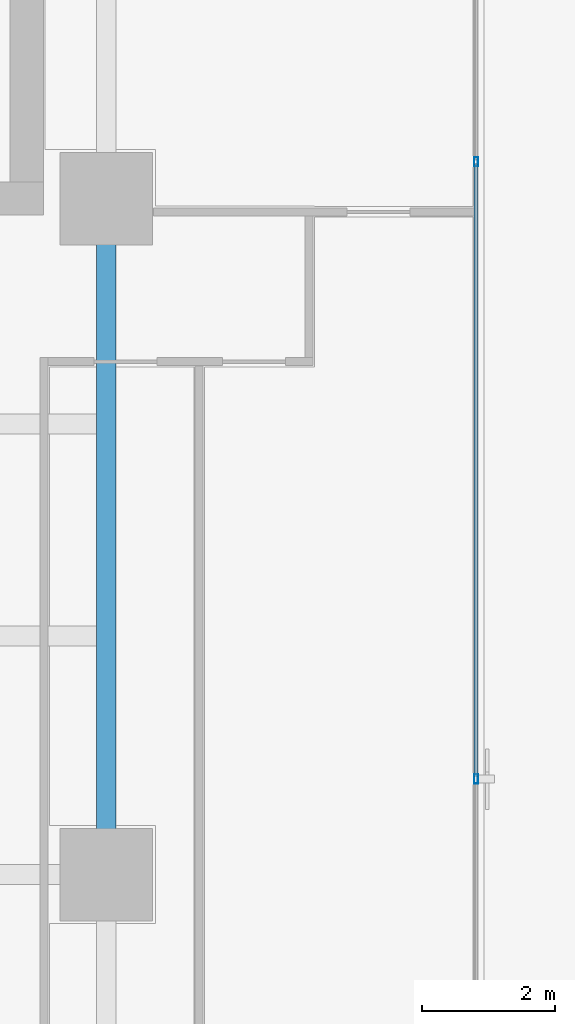
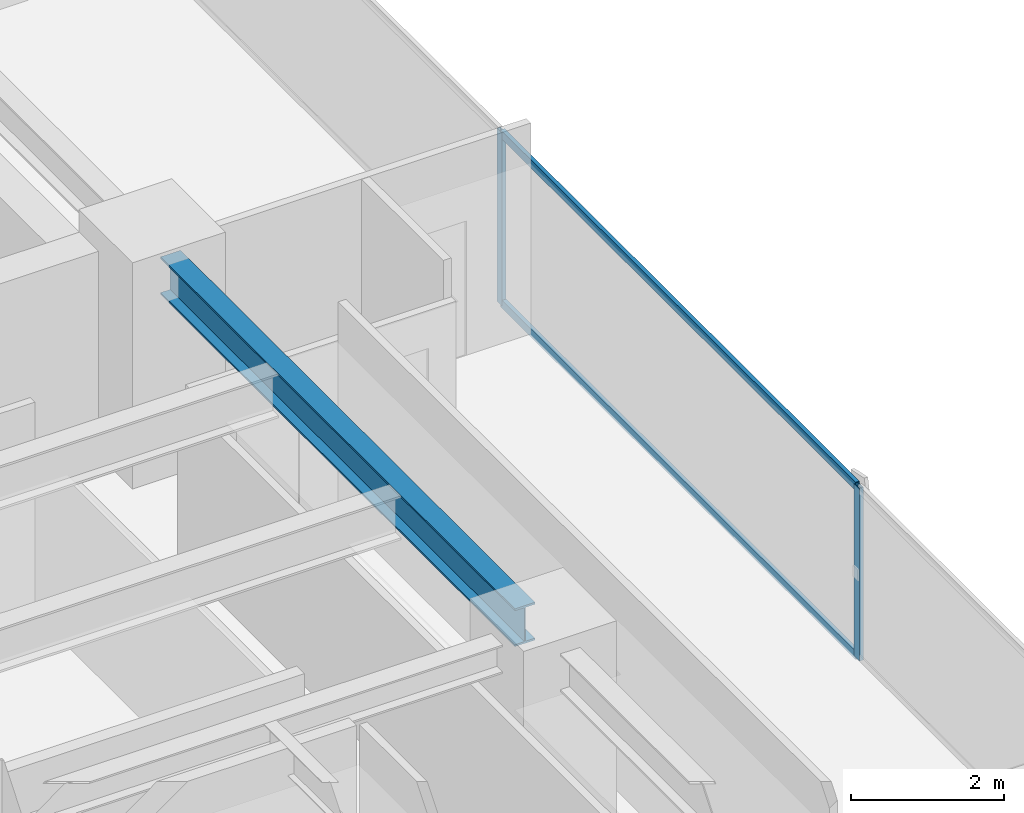
# One storey, part 13 of 27: 4 members, 1 beam, 1 element without a shape of its own.
"""IFC4 building model written with IfcOpenShell, lengths in metres."""

from ifc_helpers import new_model, si_unit, direction, frame, origin, origin_2d, place, context, subcontext, project, spatial, hollow_rectangle, i_section, extrude, source, transform, mapped, material, layer, layer_set, material_profile, profile_set, type_object, element, aggregate, save


model = new_model("IFC4")

# Units and contexts
model_context = context("Model", 3, precision=1e-05, world=origin(), true_north=direction((0.0, 1.0)))
body_context = subcontext(model_context, "Body", "Model", "MODEL_VIEW")
ifc_project = project(units=[si_unit("LENGTHUNIT", "METRE"), si_unit("AREAUNIT", "SQUARE_METRE"), si_unit("VOLUMEUNIT", "CUBIC_METRE"), si_unit("PLANEANGLEUNIT", "RADIAN"), si_unit("MASSUNIT", "GRAM", prefix="KILO")], contexts=[model_context])

# Site, building, storey
site_placement = place(None, origin())
site = spatial("IfcSite", under=ifc_project, at=site_placement, CompositionType="ELEMENT")
building_placement = place(site_placement, origin())
building = spatial("IfcBuilding", under=site, at=building_placement, Name="Sumidabori Civic Tower", CompositionType="ELEMENT")
storey_placement = place(building_placement, frame((0.0, 0.0, 228.800048828125)))
storey = spatial("IfcBuildingStorey", under=building, at=storey_placement, Name="L59", CompositionType="ELEMENT", Elevation=228.800048828125)

# Beam
ifc_material_1 = material(Name="Steel SN490", Category="steel")
ifc_material_profile_1 = material_profile(ifc_material_1, i_section(OverallWidth=0.300048828125, OverallDepth=0.60009765625, WebThickness=0.015380859375, FlangeThickness=0.030029296875, at=origin_2d()), Name="HE 600 B")
ifc_profile_set_1 = profile_set([ifc_material_profile_1], Name="Steel SN490")
beam_type = type_object("IfcBeamType", Name="BM-GIRD-600", PredefinedType="BEAM", material=ifc_profile_set_1)
shared_shape_1 = source(origin(), body_context, "Body", "SweptSolid", [
    extrude(i_section(OverallWidth=0.300048828125, OverallDepth=0.60009765625, WebThickness=0.015380859375, FlangeThickness=0.030029296875, at=origin_2d()), origin(), (0.0, 0.0, 1.0), 9.239990234375),
])
beam_placement = place(storey_placement, frame((16.800048828125, 0.47998046875, 3.070068359375), z_axis=(0.0, 1.0, 0.0), x_axis=(-1.0, 0.0, 0.0)))
element("IfcBeam", 1, at=beam_placement, inside=storey, type_object=beam_type, Name="Primary Girder L59 GY-12", PredefinedType="BEAM", context=body_context, shape_type="MappedRepresentation", body=[
    mapped(shared_shape_1, transform((0.0, 0.0, 0.0), x_axis=(1.0, 0.0, 0.0), y_axis=(0.0, 1.0, 0.0), z_axis=(0.0, 0.0, 1.0), scale=1.0)),
])

# Curtain wall, members
ifc_material_2 = material(Name="Anodised Bronze Aluminium AW-6063-T6", Category="aluminium")
ifc_layer = layer(ifc_material_2, 0.179931640625, Name="Anodised Bronze Aluminium AW-6063-T6")
ifc_layer_set = layer_set([ifc_layer], Name="Anodised Bronze Aluminium AW-6063-T6")
curtain_wall_type = type_object("IfcCurtainWallType", Name="CW-SYS-5", PredefinedType="NOTDEFINED", material=ifc_layer_set)
curtain_wall_placement = place(storey_placement, origin())
curtain_wall = element("IfcCurtainWall", 2, at=curtain_wall_placement, inside=storey, type_object=curtain_wall_type, Name="Curtain Wall CW:L59:R05", PredefinedType="NOTDEFINED")
ifc_material_profile_2 = material_profile(ifc_material_2, hollow_rectangle(XDim=0.06005859375, YDim=0.139892578125, WallThickness=0.0048828125, at=origin_2d()), Name="ALU MULLION 140x60")
ifc_profile_set_2 = profile_set([ifc_material_profile_2], Name="Anodised Bronze Aluminium AW-6063-T6")
member_type_1 = type_object("IfcMemberType", Name="CW-MUL-140", PredefinedType="MULLION", material=ifc_profile_set_2)
shared_shape_2 = source(origin(), body_context, "Body", "SweptSolid", [
    extrude(hollow_rectangle(XDim=0.06005859375, YDim=0.139892578125, WallThickness=0.0048828125, at=origin_2d()), origin(), (0.0, 0.0, 1.0), 2.75),
])
member_1_placement = place(storey_placement, frame((22.3798828125, 1.443359375, 0.0), z_axis=(0.0, 0.0, 1.0), x_axis=(-1.0, 0.0, 0.0)))
member_1 = element("IfcMember", 3, at=member_1_placement, type_object=member_type_1, Name="CW-5 mullion 2", PredefinedType="MULLION", context=body_context, shape_type="MappedRepresentation", body=[
    mapped(shared_shape_2, transform((0.0, 0.0, 0.0), x_axis=(1.0, 0.0, 0.0), y_axis=(0.0, 1.0, 0.0), z_axis=(0.0, 0.0, 1.0), scale=1.0)),
])
member_2_placement = place(storey_placement, frame((22.3798828125, 10.756591796875, 0.0), z_axis=(0.0, 0.0, 1.0), x_axis=(-1.0, 0.0, 0.0)))
member_2 = element("IfcMember", 4, at=member_2_placement, type_object=member_type_1, Name="CW-5 mullion 3", PredefinedType="MULLION", context=body_context, shape_type="MappedRepresentation", body=[
    mapped(shared_shape_2, transform((0.0, 0.0, 0.0), x_axis=(1.0, 0.0, 0.0), y_axis=(0.0, 1.0, 0.0), z_axis=(0.0, 0.0, 1.0), scale=1.0)),
])
ifc_material_profile_3 = material_profile(ifc_material_2, hollow_rectangle(XDim=0.06005859375, YDim=0.1298828125, WallThickness=0.0048828125, at=origin_2d()), Name="ALU TRANSOM 130x60")
ifc_profile_set_3 = profile_set([ifc_material_profile_3], Name="Anodised Bronze Aluminium AW-6063-T6")
member_type_2 = type_object("IfcMemberType", Name="CW-TRN-130", PredefinedType="USERDEFINED", material=ifc_profile_set_3)
shared_shape_3 = source(origin(), body_context, "Body", "SweptSolid", [
    extrude(hollow_rectangle(XDim=0.06005859375, YDim=0.1298828125, WallThickness=0.0048828125, at=origin_2d()), origin(), (0.0, 0.0, 1.0), 9.253173828125),
])
member_3_placement = place(storey_placement, frame((22.3798828125, 1.473388671875, 0.030029296875), z_axis=(0.0, 1.0, 0.0), x_axis=(-1.0, 0.0, 0.0)))
member_3 = element("IfcMember", 5, at=member_3_placement, type_object=member_type_2, Name="CW-5 transom 2.1", ObjectType="TRANSOM", PredefinedType="USERDEFINED", context=body_context, shape_type="MappedRepresentation", body=[
    mapped(shared_shape_3, transform((0.0, 0.0, 0.0), x_axis=(1.0, 0.0, 0.0), y_axis=(0.0, 1.0, 0.0), z_axis=(0.0, 0.0, 1.0), scale=1.0)),
])
member_4_placement = place(storey_placement, frame((22.3798828125, 1.473388671875, 2.719970703125), z_axis=(0.0, 1.0, 0.0), x_axis=(-1.0, 0.0, 0.0)))
member_4 = element("IfcMember", 6, at=member_4_placement, type_object=member_type_2, Name="CW-5 transom 2.2", ObjectType="TRANSOM", PredefinedType="USERDEFINED", context=body_context, shape_type="MappedRepresentation", body=[
    mapped(shared_shape_3, transform((0.0, 0.0, 0.0), x_axis=(1.0, 0.0, 0.0), y_axis=(0.0, 1.0, 0.0), z_axis=(0.0, 0.0, 1.0), scale=1.0)),
])
aggregate(curtain_wall, [member_1, member_2, member_3, member_4])

save(model, "model.ifc")
